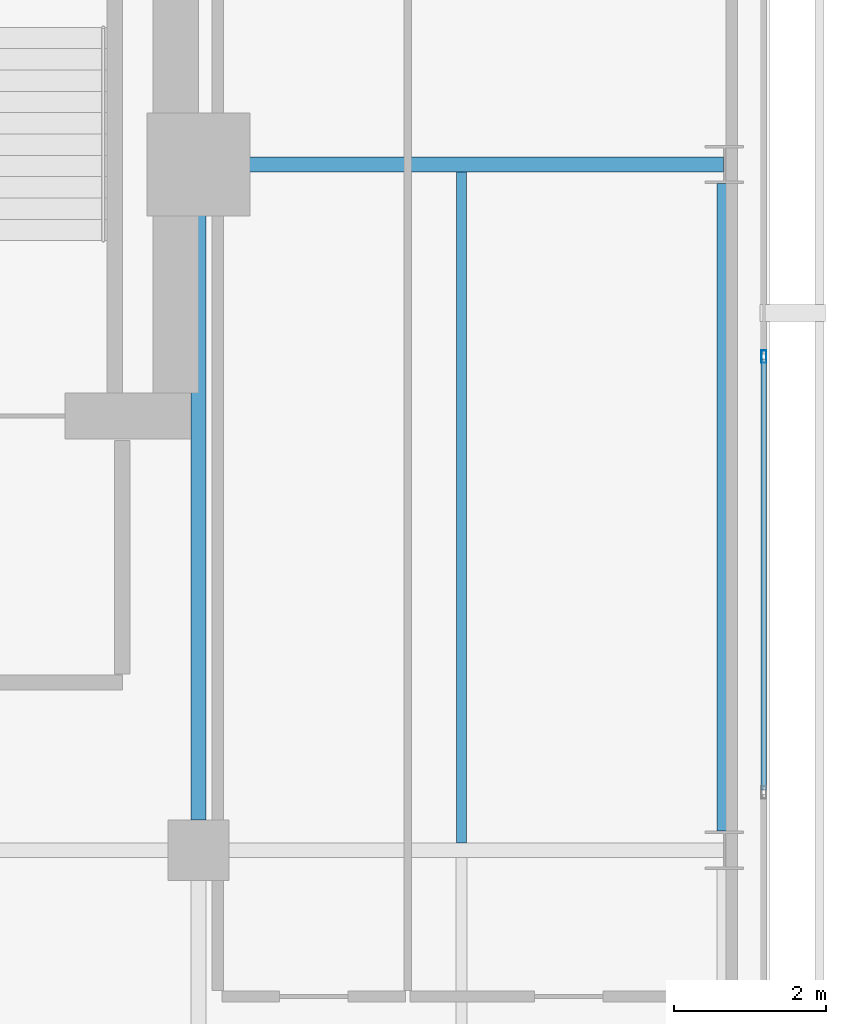
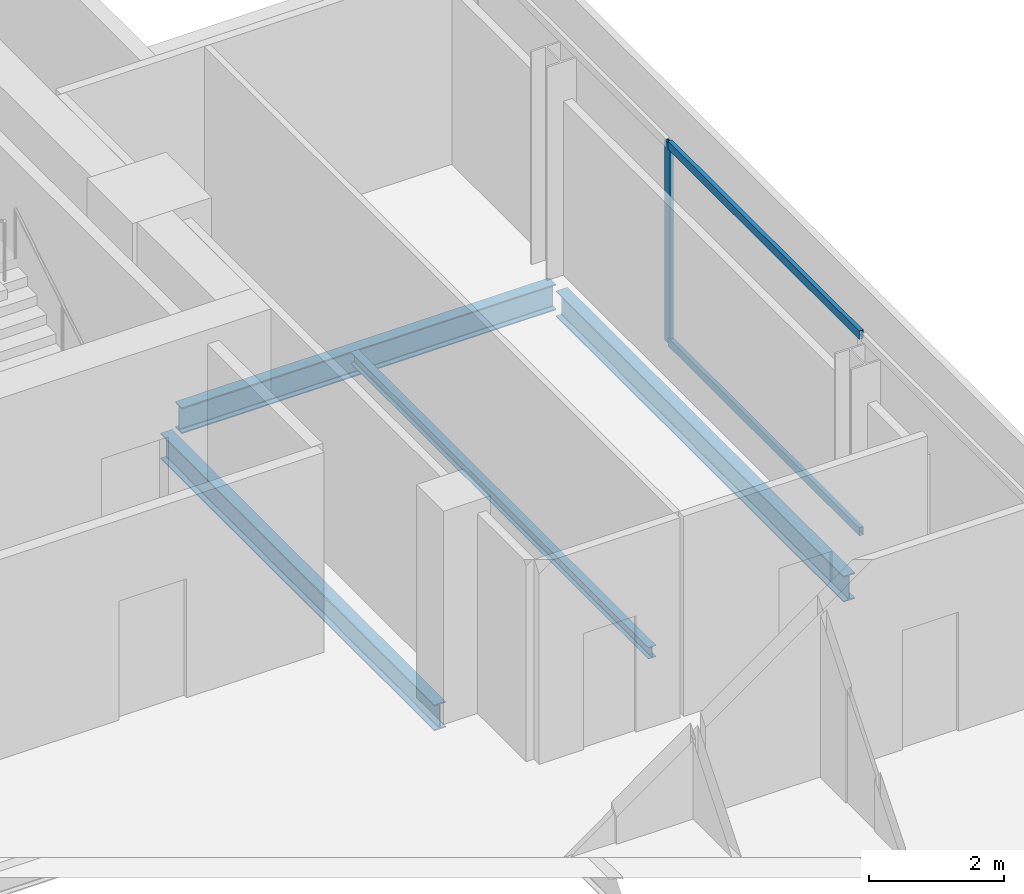
# One storey, part 13 of 24: 4 beams, 3 members, 1 element without a shape of its own.
"""IFC4 building model written with IfcOpenShell, lengths in metres."""

import ifcopenshell
import ifcopenshell.guid

model = None  # the IFC model being written
_history = None  # IfcOwnerHistory: only IFC2X3 demands one
_inside = {}  # id of a spatial element -> (the spatial element, [elements in it])
_under = {}  # id of a project, library or spatial element -> (it, [spatial elements below it])
_declared = {}  # id of a project -> (the project, [libraries it declares])
_typed = {}  # id of a type object -> (the type object, [elements of that type])
_made_of = {}  # id of a material, layer set ... -> (it, [elements and type objects made of it])


def new_model(schema):
    """Start an empty IFC model of exactly this schema.

    Asked for "IFC4X3", IfcOpenShell would pick the latest addendum, in which some entities
    have other attributes; the version numbers below select the first issue.
    IFC2X3 requires an IfcOwnerHistory on every rooted entity: one is made here for all.
    """
    global model, _history
    if schema == "IFC4X3":
        model = ifcopenshell.file(schema_version=(4, 3, 0, 0))
    else:
        model = ifcopenshell.file(schema=schema)
    _inside.clear()
    _under.clear()
    _declared.clear()
    _typed.clear()
    _made_of.clear()
    _history = None
    if model.schema == "IFC2X3":
        org = make("IfcOrganization", Name="unknown")
        user = make(
            "IfcPersonAndOrganization",
            ThePerson=make("IfcPerson", FamilyName="unknown"),
            TheOrganization=org,
        )
        app = make(
            "IfcApplication",
            ApplicationDeveloper=org,
            Version="unknown",
            ApplicationFullName="unknown",
            ApplicationIdentifier="unknown",
        )
        _history = make(
            "IfcOwnerHistory",
            OwningUser=user,
            OwningApplication=app,
            ChangeAction="ADDED",
            CreationDate=0,
        )
    return model


def make(cls, **values):
    """One entity of the class cls with the attributes given. An attribute that is None is left unset."""
    return model.create_entity(
        cls, **{name: value for name, value in values.items() if value is not None}
    )


def rooted(cls, **values):
    """An entity with a GlobalId (a new one), such as an element, a storey or a relation."""
    return make(cls, GlobalId=ifcopenshell.guid.new(), OwnerHistory=_history, **values)


def si_unit(unit_type, name, prefix=None):
    """IfcSIUnit, for example si_unit("LENGTHUNIT", "METRE", prefix="MILLI")."""
    return make("IfcSIUnit", UnitType=unit_type, Prefix=prefix, Name=name)


def assignment(units):
    """IfcUnitAssignment: the units of a project."""
    return None if units is None else make("IfcUnitAssignment", Units=units)


def point(xyz):
    """IfcCartesianPoint."""
    return None if xyz is None else make("IfcCartesianPoint", Coordinates=xyz)


def direction(xyz):
    """IfcDirection."""
    return None if xyz is None else make("IfcDirection", DirectionRatios=xyz)


def frame(location, z_axis=None, x_axis=None):
    """IfcAxis2Placement3D, a coordinate frame: its origin and axes. An axis left out is left unset."""
    return make(
        "IfcAxis2Placement3D",
        Location=point(location),
        Axis=direction(z_axis),
        RefDirection=direction(x_axis),
    )


def frame_2d(location, x_axis=None):
    """IfcAxis2Placement2D, a coordinate frame in the plane: its origin and x axis."""
    return make(
        "IfcAxis2Placement2D", Location=point(location), RefDirection=direction(x_axis)
    )


def origin():
    """The frame at (0, 0, 0) with its axes left unset."""
    return frame((0.0, 0.0, 0.0))


def origin_2d():
    """The frame at (0, 0) in the plane with its x axis left unset."""
    return frame_2d((0.0, 0.0))


def place(relative_to, where):
    """IfcLocalPlacement: puts the frame where relative to a parent placement (None: the world)."""
    return make(
        "IfcLocalPlacement", PlacementRelTo=relative_to, RelativePlacement=where
    )


def context(
    kind, dimensions, precision=None, world=None, true_north=None, identifier=None
):
    """IfcGeometricRepresentationContext, for example the 3D "Model" context."""
    return make(
        "IfcGeometricRepresentationContext",
        ContextIdentifier=identifier,
        ContextType=kind,
        CoordinateSpaceDimension=dimensions,
        Precision=precision,
        WorldCoordinateSystem=world,
        TrueNorth=true_north,
    )


def subcontext(parent, identifier, kind, view, scale=None):
    """IfcGeometricRepresentationSubContext, for example "Body" below "Model"."""
    return make(
        "IfcGeometricRepresentationSubContext",
        ContextIdentifier=identifier,
        ContextType=kind,
        ParentContext=parent,
        TargetScale=scale,
        TargetView=view,
    )


def project(units=None, contexts=None):
    """IfcProject with its units and contexts."""
    return rooted(
        "IfcProject",
        Name="project",
        RepresentationContexts=contexts,
        UnitsInContext=assignment(units),
    )


def spatial(cls, under=None, at=None, **own):
    """A site, building, storey or space (cls), placed at a placement, below another one or the project."""
    s = rooted(cls, ObjectPlacement=at, **own)
    if under is not None:
        _under.setdefault(under.id(), (under, []))[1].append(s)
    return s


def profile(cls, at=None, kind="AREA", **sizes):
    """A parametric profile (cls). Its sizes go by their IFC names, for example OverallWidth=200.0."""
    return make(cls, ProfileType=kind, Position=at, **sizes)


def hollow_rectangle(**sizes):
    """IfcRectangleHollowProfileDef."""
    return profile("IfcRectangleHollowProfileDef", **sizes)


def i_section(**sizes):
    """IfcIShapeProfileDef."""
    return profile("IfcIShapeProfileDef", **sizes)


def extrude(swept, where, along, depth):
    """IfcExtrudedAreaSolid: the profile swept, set in the frame where, extruded along a direction by depth."""
    return make(
        "IfcExtrudedAreaSolid",
        SweptArea=swept,
        Position=where,
        ExtrudedDirection=direction(along),
        Depth=depth,
    )


def shape(context_of_items, identifier, shape_type, items):
    """IfcShapeRepresentation: the items that make up one representation, for example the "Body"."""
    return make(
        "IfcShapeRepresentation",
        ContextOfItems=context_of_items,
        RepresentationIdentifier=identifier,
        RepresentationType=shape_type,
        Items=items,
    )


def material(Name=None, Category=None):
    """IfcMaterial."""
    return make("IfcMaterial", Name=Name, Category=Category)


def layer(
    of_material, thickness, ventilated=None, Name=None, Category=None, Priority=None
):
    """IfcMaterialLayer: one layer of a wall or slab, of a material (None: an air gap)."""
    return make(
        "IfcMaterialLayer",
        Material=of_material,
        LayerThickness=thickness,
        IsVentilated=ventilated,
        Name=Name,
        Category=Category,
        Priority=Priority,
    )


def layer_set(layers, Name=None):
    """IfcMaterialLayerSet."""
    return make("IfcMaterialLayerSet", MaterialLayers=layers, LayerSetName=Name)


def material_profile(
    of_material, cross_section, Name=None, Category=None, Priority=None
):
    """IfcMaterialProfile: a cross section and its material."""
    return make(
        "IfcMaterialProfile",
        Name=Name,
        Material=of_material,
        Profile=cross_section,
        Priority=Priority,
        Category=Category,
    )


def profile_set(profiles, Name=None, composite=None):
    """IfcMaterialProfileSet."""
    return make(
        "IfcMaterialProfileSet",
        Name=Name,
        MaterialProfiles=profiles,
        CompositeProfile=composite,
    )


def made_of(thing, what):
    """Note that an element or type object is made of a material, layer set ...; save() writes the relation."""
    if what is not None:
        _made_of.setdefault(what.id(), (what, []))[1].append(thing)
    return thing


def type_object(cls, material=None, **own):
    """A type object (cls), such as IfcWallType, which elements share."""
    return made_of(rooted(cls, **own), material)


def element(
    cls,
    number,
    at=None,
    inside=None,
    cuts=None,
    type_object=None,
    material=None,
    context=None,
    identifier="Body",
    shape_type=None,
    held_by="IfcProductDefinitionShape",
    body=None,
    shapes=None,
    **own,
):
    """One element of the class cls, such as IfcWall. Its Tag is "e" and its number.

    at: its placement. inside: the storey or other place that contains it. cuts: it is an
    opening in that element (IfcRelVoidsElement). A single representation is given by context,
    identifier, shape_type and body (its items); several are given by shapes. held_by: the class
    of the entity that holds the representations. save() writes the other relations.
    """
    e = rooted(cls, Tag="e%d" % number, ObjectPlacement=at, **own)
    if body is not None:
        shapes = [shape(context, identifier, shape_type, body)]
    if shapes is not None:
        e.Representation = make(held_by, Representations=shapes)
    if inside is not None:
        _inside.setdefault(inside.id(), (inside, []))[1].append(e)
    if cuts is not None:
        rooted(
            "IfcRelVoidsElement", RelatingBuildingElement=cuts, RelatedOpeningElement=e
        )
    if type_object is not None:
        _typed.setdefault(type_object.id(), (type_object, []))[1].append(e)
    return made_of(e, material)


def aggregate(whole, parts):
    """IfcRelAggregates: a whole, such as a stair, and the parts it consists of."""
    return rooted("IfcRelAggregates", RelatingObject=whole, RelatedObjects=parts)


def save(model, path):
    """Write the relations noted so far, then the file.

    IfcRelAggregates (storeys below a building ...), IfcRelContainedInSpatialStructure (elements
    in a storey), IfcRelDefinesByType, IfcRelAssociatesMaterial and IfcRelDeclares: one each for
    every whole, place, type object, material and project.
    """
    for whole, parts in _under.values():
        aggregate(whole, parts)
    for where, things in _inside.values():
        rooted(
            "IfcRelContainedInSpatialStructure",
            RelatedElements=things,
            RelatingStructure=where,
        )
    for kind, things in _typed.values():
        rooted("IfcRelDefinesByType", RelatedObjects=things, RelatingType=kind)
    for what, things in _made_of.values():
        rooted("IfcRelAssociatesMaterial", RelatedObjects=things, RelatingMaterial=what)
    for by, libraries in _declared.values():
        rooted("IfcRelDeclares", RelatingContext=by, RelatedDefinitions=libraries)
    model.write(path)


model = new_model("IFC4")

# Units and contexts
model_context = context("Model", 3, precision=1e-05, world=origin(), true_north=direction((0.0, 1.0)))
body_context = subcontext(model_context, "Body", "Model", "MODEL_VIEW")
ifc_project = project(units=[si_unit("LENGTHUNIT", "METRE"), si_unit("AREAUNIT", "SQUARE_METRE"), si_unit("VOLUMEUNIT", "CUBIC_METRE"), si_unit("PLANEANGLEUNIT", "RADIAN"), si_unit("MASSUNIT", "GRAM", prefix="KILO")], contexts=[model_context])

# Site, building, storey
site_placement = place(None, origin())
site = spatial("IfcSite", under=ifc_project, at=site_placement, CompositionType="ELEMENT")
building_placement = place(site_placement, origin())
building = spatial("IfcBuilding", under=site, at=building_placement, Name="Maruvema Waterfront Hotel and Observation Tower", CompositionType="ELEMENT")
storey_placement = place(building_placement, frame((0.0, 0.0, 329.699951171875)))
storey = spatial("IfcBuildingStorey", under=building, at=storey_placement, Name="L81", CompositionType="ELEMENT", Elevation=329.699951171875)

# Curtain wall, members
ifc_material_1 = material(Name="Anodised bronze aluminium and solar-control low-E IGU", Category="aluminium")
ifc_layer = layer(ifc_material_1, 0.159912109375, Name="Zone 4 Sky Residence Inner Curtain Wall System CW-05")
ifc_layer_set = layer_set([ifc_layer], Name="Anodised bronze aluminium and solar-control low-E IGU")
curtain_wall_type = type_object("IfcCurtainWallType", Name="Zone 4 Sky Residence Inner Curtain Wall System CW-05", PredefinedType="USERDEFINED", material=ifc_layer_set)
curtain_wall_placement = place(storey_placement, origin())
curtain_wall = element("IfcCurtainWall", 1, at=curtain_wall_placement, inside=storey, type_object=curtain_wall_type, Name="L81 Curtain Wall CW-L81-E", ObjectType="UNITISED CURTAIN WALL", PredefinedType="USERDEFINED")
ifc_material_2 = material(Name="Anodised architectural bronze aluminium", Category="aluminium")
ifc_material_profile_1 = material_profile(ifc_material_2, hollow_rectangle(XDim=0.070068359375, YDim=0.14990234375, WallThickness=0.00390625, at=origin_2d()), Name="ALU-T70x150")
ifc_profile_set_1 = profile_set([ifc_material_profile_1], Name="Anodised architectural bronze aluminium")
member_type_1 = type_object("IfcMemberType", Name="Curtain Wall Horizontal Transom ALU-T70x150", PredefinedType="USERDEFINED", material=ifc_profile_set_1)
member_1_placement = place(storey_placement, frame((57.820068359375, 36.7900390625, 0.030029296875), z_axis=(0.0, 1.0, 0.0), x_axis=(-1.0, 0.0, 0.0)))
member_1 = element("IfcMember", 2, at=member_1_placement, type_object=member_type_1, Name="CW-05 transom 4.1", ObjectType="TRANSOM", PredefinedType="USERDEFINED", context=body_context, shape_type="SweptSolid", body=[
    extrude(hollow_rectangle(XDim=0.070068359375, YDim=0.14990234375, WallThickness=0.00390625, at=origin_2d()), origin(), (0.0, 0.0, 1.0), 5.659912109375),
])
member_2_placement = place(storey_placement, frame((57.820068359375, 36.7900390625, 3.580078125), z_axis=(0.0, 1.0, 0.0), x_axis=(-1.0, 0.0, 0.0)))
member_2 = element("IfcMember", 3, at=member_2_placement, type_object=member_type_1, Name="CW-05 transom 4.2", ObjectType="TRANSOM", PredefinedType="USERDEFINED", context=body_context, shape_type="SweptSolid", body=[
    extrude(hollow_rectangle(XDim=0.070068359375, YDim=0.14990234375, WallThickness=0.00390625, at=origin_2d()), origin(), (0.0, 0.0, 1.0), 5.659912109375),
])
ifc_material_3 = material(Name="Anodised architectural bronze aluminium", Category="aluminium")
ifc_material_profile_2 = material_profile(ifc_material_3, hollow_rectangle(XDim=0.06494140625, YDim=0.1650390625, WallThickness=0.00390625, at=origin_2d()), Name="ALU-M65x165")
ifc_profile_set_2 = profile_set([ifc_material_profile_2], Name="Anodised architectural bronze aluminium")
member_type_2 = type_object("IfcMemberType", Name="Curtain Wall Primary Mullion ALU-M65x165", PredefinedType="MULLION", material=ifc_profile_set_2)
member_3_placement = place(storey_placement, frame((57.820068359375, 42.47998046875, 0.0), z_axis=(0.0, 0.0, 1.0), x_axis=(-1.0, 0.0, 0.0)))
member_3 = element("IfcMember", 4, at=member_3_placement, type_object=member_type_2, Name="CW-05 mullion 5", PredefinedType="MULLION", context=body_context, shape_type="SweptSolid", body=[
    extrude(hollow_rectangle(XDim=0.06494140625, YDim=0.1650390625, WallThickness=0.00390625, at=origin_2d()), origin(), (0.0, 0.0, 1.0), 3.610107421875),
])
aggregate(curtain_wall, [member_3, member_1, member_2])

# Beams
ifc_material_4 = material(Name="Steel ASTM A572 Grade 50", Category="steel")
ifc_material_profile_3 = material_profile(ifc_material_4, i_section(OverallWidth=0.194091796875, OverallDepth=0.468994140625, WebThickness=0.0126953125, FlangeThickness=0.0205078125, FilletRadius=0.014892578125, at=origin_2d()), Name="W460x106.0")
ifc_profile_set_3 = profile_set([ifc_material_profile_3], Name="Steel ASTM A572 Grade 50")
beam_type_1 = type_object("IfcBeamType", Name="Primary Floor Girder W460x106.0", PredefinedType="BEAM", material=ifc_profile_set_3)
beam_1_placement = place(storey_placement, frame((50.89990234375, 45.0, -0.474365234375), z_axis=(1.0, 0.0, 0.0), x_axis=(0.0, 1.0, 0.0)))
element("IfcBeam", 5, at=beam_1_placement, inside=storey, type_object=beam_type_1, Name="L81 Floor Girder EW-16", PredefinedType="BEAM", context=body_context, shape_type="SweptSolid", body=[
    extrude(i_section(OverallWidth=0.194091796875, OverallDepth=0.468994140625, WebThickness=0.0126953125, FlangeThickness=0.0205078125, FilletRadius=0.014892578125, at=origin_2d()), origin(), (0.0, 0.0, 1.0), 6.38916015625),
])
beam_2_placement = place(storey_placement, frame((50.39990234375, 36.39990234375, -0.474365234375), z_axis=(0.0, 1.0, 0.0), x_axis=(-1.0, 0.0, 0.0)))
element("IfcBeam", 6, at=beam_2_placement, inside=storey, type_object=beam_type_1, Name="L81 Floor Girder NS-14", PredefinedType="BEAM", context=body_context, shape_type="SweptSolid", body=[
    extrude(i_section(OverallWidth=0.194091796875, OverallDepth=0.468994140625, WebThickness=0.0126953125, FlangeThickness=0.0205078125, FilletRadius=0.014892578125, at=origin_2d()), origin(), (0.0, 0.0, 1.0), 8.10009765625),
])
beam_3_placement = place(storey_placement, frame((57.300048828125, 36.25, -0.474365234375), z_axis=(0.0, 1.0, 0.0), x_axis=(-1.0, 0.0, 0.0)))
element("IfcBeam", 7, at=beam_3_placement, inside=storey, type_object=beam_type_1, Name="L81 Floor Girder NS-16", PredefinedType="BEAM", context=body_context, shape_type="SweptSolid", body=[
    extrude(i_section(OverallWidth=0.194091796875, OverallDepth=0.468994140625, WebThickness=0.0126953125, FlangeThickness=0.0205078125, FilletRadius=0.014892578125, at=origin_2d()), origin(), (0.0, 0.0, 1.0), 8.5),
])
ifc_material_5 = material(Name="Steel ASTM A572 Grade 50", Category="steel")
ifc_material_profile_4 = material_profile(ifc_material_5, i_section(OverallWidth=0.133056640625, OverallDepth=0.20703125, WebThickness=0.005859375, FlangeThickness=0.00830078125, FilletRadius=0.010009765625, at=origin_2d()), Name="W200x26.6")
ifc_profile_set_4 = profile_set([ifc_material_profile_4], Name="Steel ASTM A572 Grade 50")
beam_type_2 = type_object("IfcBeamType", Name="Secondary Floor Joist W200x26.6", PredefinedType="JOIST", material=ifc_profile_set_4)
beam_4_placement = place(storey_placement, frame((53.85009765625, 36.096923828125, -0.343505859375), z_axis=(0.0, 1.0, 0.0), x_axis=(-1.0, 0.0, 0.0)))
element("IfcBeam", 8, at=beam_4_placement, inside=storey, type_object=beam_type_2, Name="L81 Secondary Floor Joist JS-07", PredefinedType="JOIST", context=body_context, shape_type="SweptSolid", body=[
    extrude(i_section(OverallWidth=0.133056640625, OverallDepth=0.20703125, WebThickness=0.005859375, FlangeThickness=0.00830078125, FilletRadius=0.010009765625, at=origin_2d()), origin(), (0.0, 0.0, 1.0), 8.80615234375),
])

save(model, "model.ifc")
